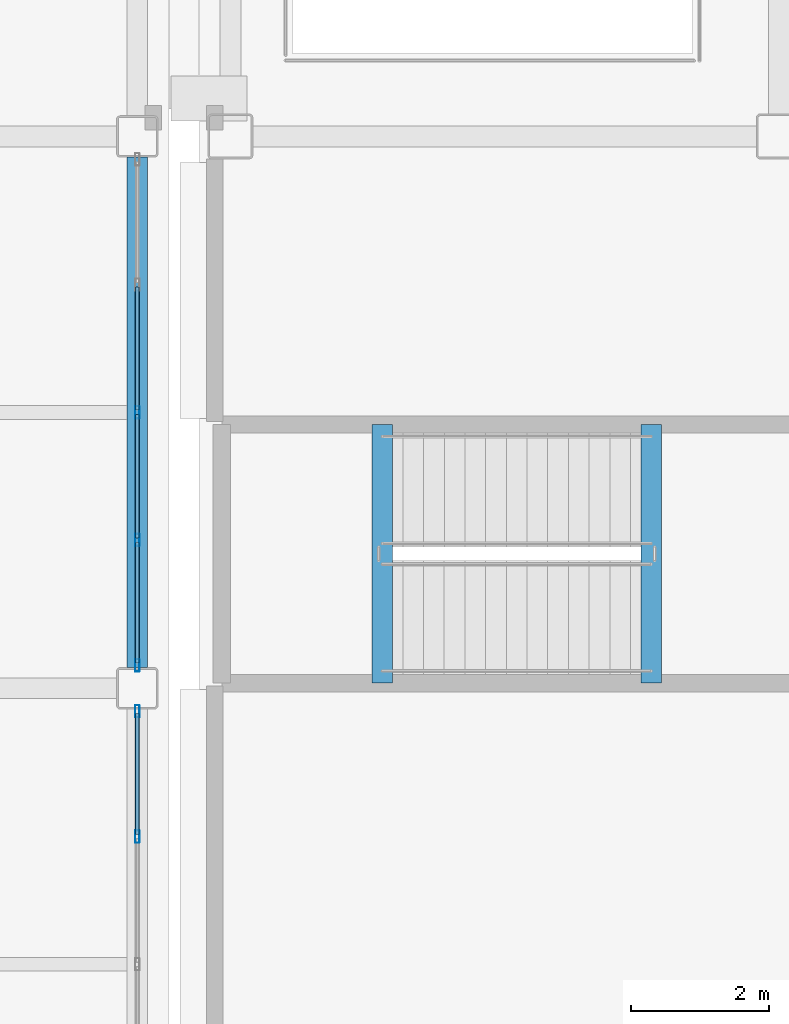
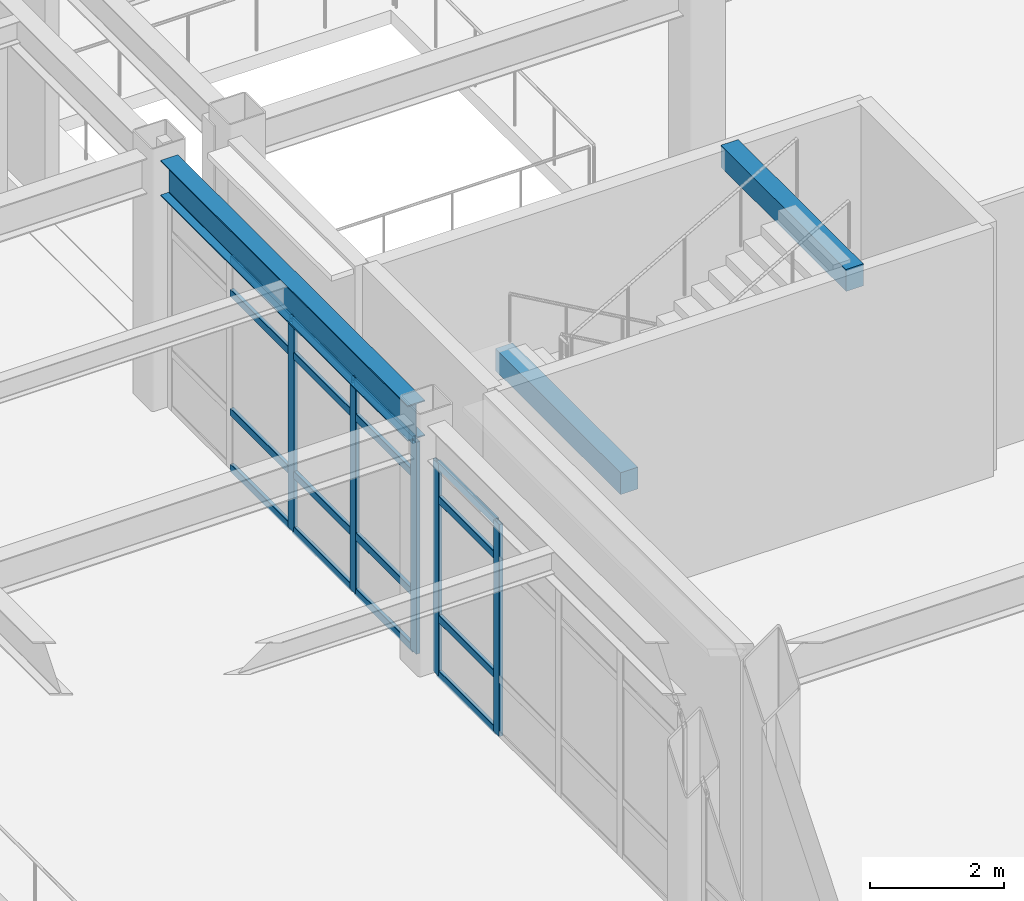
# One storey, part 20 of 172: 21 members, 3 beams, 2 elements without a shape of their own.
"""IFC4 building model written with IfcOpenShell, lengths in metres."""

from ifc_helpers import new_model, si_unit, direction, frame, origin, origin_2d, place, context, subcontext, project, spatial, rectangle, hollow_rectangle, i_section, extrude, material, layer, layer_set, material_profile, profile_set, type_object, element, aggregate, save


model = new_model("IFC4")

# Units and contexts
model_context = context("Model", 3, precision=1e-05, world=origin(), true_north=direction((0.0, 1.0)))
body_context = subcontext(model_context, "Body", "Model", "MODEL_VIEW")
ifc_project = project(units=[si_unit("LENGTHUNIT", "METRE"), si_unit("AREAUNIT", "SQUARE_METRE"), si_unit("VOLUMEUNIT", "CUBIC_METRE"), si_unit("PLANEANGLEUNIT", "RADIAN"), si_unit("MASSUNIT", "GRAM", prefix="KILO")], contexts=[model_context])

# Site, building, storey
site_placement = place(None, origin())
site = spatial("IfcSite", under=ifc_project, at=site_placement, CompositionType="ELEMENT")
building_placement = place(site_placement, origin())
building = spatial("IfcBuilding", under=site, at=building_placement, Name="Kazehara Bluff Congress Hotel", CompositionType="ELEMENT")
storey_placement = place(building_placement, frame((0.0, 0.0, 5.39990234375)))
storey = spatial("IfcBuildingStorey", under=building, at=storey_placement, Name="L01", CompositionType="ELEMENT", Elevation=5.39990234375)

# Curtain wall, members
ifc_material_1 = material(Name="Anodised aluminium", Category="aluminium")
ifc_layer = layer(ifc_material_1, 0.159912109375)
ifc_layer_set = layer_set([ifc_layer], Name="Anodised aluminium")
curtain_wall_type = type_object("IfcCurtainWallType", Name="TP-CW-34", PredefinedType="NOTDEFINED", material=ifc_layer_set)
curtain_wall_1_placement = place(storey_placement, origin())
curtain_wall_1 = element("IfcCurtainWall", 1, at=curtain_wall_1_placement, inside=storey, type_object=curtain_wall_type, Name="L01 curtain wall CW-34 CW-V2-L01-X5835-830", PredefinedType="NOTDEFINED")
ifc_material_2 = material(Name="Anodised aluminium", Category="aluminium")
ifc_material_profile_1 = material_profile(ifc_material_2, hollow_rectangle(XDim=0.06494140625, YDim=0.179931640625, WallThickness=0.00390625, InnerFilletRadius=0.00390625, OuterFilletRadius=0.008056640625, at=origin_2d()))
ifc_profile_set_1 = profile_set([ifc_material_profile_1], Name="Anodised aluminium")
member_type_1 = type_object("IfcMemberType", Name="TP-CWM-02", PredefinedType="MULLION", material=ifc_profile_set_1)
member_1_placement = place(storey_placement, frame((58.35009765625, 13.85009765625, 0.0), z_axis=(0.0, 0.0, 1.0), x_axis=(-1.0, 0.0, 0.0)))
member_1 = element("IfcMember", 2, at=member_1_placement, type_object=member_type_1, Name="CW-34 mullion 4", PredefinedType="MULLION", context=body_context, shape_type="SweptSolid", body=[
    extrude(hollow_rectangle(XDim=0.06494140625, YDim=0.179931640625, WallThickness=0.00390625, InnerFilletRadius=0.00390625, OuterFilletRadius=0.008056640625, at=origin_2d()), origin(), (0.0, 0.0, 1.0), 3.875),
])
member_2_placement = place(storey_placement, frame((58.35009765625, 15.66748046875, 0.0), z_axis=(0.0, 0.0, 1.0), x_axis=(-1.0, 0.0, 0.0)))
member_2 = element("IfcMember", 3, at=member_2_placement, type_object=member_type_1, Name="CW-34 mullion 5", PredefinedType="MULLION", context=body_context, shape_type="SweptSolid", body=[
    extrude(hollow_rectangle(XDim=0.06494140625, YDim=0.179931640625, WallThickness=0.00390625, InnerFilletRadius=0.00390625, OuterFilletRadius=0.008056640625, at=origin_2d()), origin(), (0.0, 0.0, 1.0), 3.875),
])

curtain_wall_2_placement = place(storey_placement, origin())
curtain_wall_2 = element("IfcCurtainWall", 4, at=curtain_wall_2_placement, inside=storey, type_object=curtain_wall_type, Name="L01 curtain wall CW-34 CW-V2-L01-X5835-1630", PredefinedType="NOTDEFINED")
member_3_placement = place(storey_placement, frame((58.35009765625, 16.33251953125, 0.0), z_axis=(0.0, 0.0, 1.0), x_axis=(-1.0, 0.0, 0.0)))
member_3 = element("IfcMember", 5, at=member_3_placement, type_object=member_type_1, Name="CW-34 mullion 1", PredefinedType="MULLION", context=body_context, shape_type="SweptSolid", body=[
    extrude(hollow_rectangle(XDim=0.06494140625, YDim=0.179931640625, WallThickness=0.00390625, InnerFilletRadius=0.00390625, OuterFilletRadius=0.008056640625, at=origin_2d()), origin(), (0.0, 0.0, 1.0), 3.875),
])
member_4_placement = place(storey_placement, frame((58.35009765625, 18.14990234375, 0.0), z_axis=(0.0, 0.0, 1.0), x_axis=(-1.0, 0.0, 0.0)))
member_4 = element("IfcMember", 6, at=member_4_placement, type_object=member_type_1, Name="CW-34 mullion 2", PredefinedType="MULLION", context=body_context, shape_type="SweptSolid", body=[
    extrude(hollow_rectangle(XDim=0.06494140625, YDim=0.179931640625, WallThickness=0.00390625, InnerFilletRadius=0.00390625, OuterFilletRadius=0.008056640625, at=origin_2d()), origin(), (0.0, 0.0, 1.0), 3.875),
])
member_5_placement = place(storey_placement, frame((58.35009765625, 20.0, 0.0), z_axis=(0.0, 0.0, 1.0), x_axis=(-1.0, 0.0, 0.0)))
member_5 = element("IfcMember", 7, at=member_5_placement, type_object=member_type_1, Name="CW-34 mullion 3", PredefinedType="MULLION", context=body_context, shape_type="SweptSolid", body=[
    extrude(hollow_rectangle(XDim=0.06494140625, YDim=0.179931640625, WallThickness=0.00390625, InnerFilletRadius=0.00390625, OuterFilletRadius=0.008056640625, at=origin_2d()), origin(), (0.0, 0.0, 1.0), 3.875),
])

# Member
ifc_material_3 = material(Name="Anodised aluminium", Category="aluminium")
ifc_material_profile_2 = material_profile(ifc_material_3, hollow_rectangle(XDim=0.06494140625, YDim=0.139892578125, WallThickness=0.00390625, InnerFilletRadius=0.00390625, OuterFilletRadius=0.008056640625, at=origin_2d()))
ifc_profile_set_2 = profile_set([ifc_material_profile_2], Name="Anodised aluminium")
member_type_2 = type_object("IfcMemberType", Name="TP-CWT-02", PredefinedType="USERDEFINED", material=ifc_profile_set_2)
member_6_placement = place(storey_placement, frame((58.35009765625, 13.882568359375, 0.03271484375), z_axis=(0.0, 1.0, 0.0), x_axis=(-1.0, 0.0, 0.0)))
member_6 = element("IfcMember", 8, at=member_6_placement, type_object=member_type_2, Name="CW-34 transom 4.1", ObjectType="TRANSOM", PredefinedType="USERDEFINED", context=body_context, shape_type="SweptSolid", body=[
    extrude(hollow_rectangle(XDim=0.06494140625, YDim=0.139892578125, WallThickness=0.00390625, InnerFilletRadius=0.00390625, OuterFilletRadius=0.008056640625, at=origin_2d()), origin(), (0.0, 0.0, 1.0), 1.75244140625),
])

member_7_placement = place(storey_placement, frame((58.35009765625, 13.882568359375, 1.050048828125), z_axis=(0.0, 1.0, 0.0), x_axis=(-1.0, 0.0, 0.0)))
member_7 = element("IfcMember", 9, at=member_7_placement, type_object=member_type_2, Name="CW-34 transom 4.2", ObjectType="TRANSOM", PredefinedType="USERDEFINED", context=body_context, shape_type="SweptSolid", body=[
    extrude(hollow_rectangle(XDim=0.06494140625, YDim=0.139892578125, WallThickness=0.00390625, InnerFilletRadius=0.00390625, OuterFilletRadius=0.008056640625, at=origin_2d()), origin(), (0.0, 0.0, 1.0), 1.75244140625),
])

member_8_placement = place(storey_placement, frame((58.35009765625, 13.882568359375, 3.22509765625), z_axis=(0.0, 1.0, 0.0), x_axis=(-1.0, 0.0, 0.0)))
member_8 = element("IfcMember", 10, at=member_8_placement, type_object=member_type_2, Name="CW-34 transom 4.3", ObjectType="TRANSOM", PredefinedType="USERDEFINED", context=body_context, shape_type="SweptSolid", body=[
    extrude(hollow_rectangle(XDim=0.06494140625, YDim=0.139892578125, WallThickness=0.00390625, InnerFilletRadius=0.00390625, OuterFilletRadius=0.008056640625, at=origin_2d()), origin(), (0.0, 0.0, 1.0), 1.75244140625),
])

member_9_placement = place(storey_placement, frame((58.35009765625, 13.882568359375, 3.842529296875), z_axis=(0.0, 1.0, 0.0), x_axis=(-1.0, 0.0, 0.0)))
member_9 = element("IfcMember", 11, at=member_9_placement, type_object=member_type_2, Name="CW-34 transom 4.4", ObjectType="TRANSOM", PredefinedType="USERDEFINED", context=body_context, shape_type="SweptSolid", body=[
    extrude(hollow_rectangle(XDim=0.06494140625, YDim=0.139892578125, WallThickness=0.00390625, InnerFilletRadius=0.00390625, OuterFilletRadius=0.008056640625, at=origin_2d()), origin(), (0.0, 0.0, 1.0), 1.75244140625),
])

aggregate(curtain_wall_1, [member_1, member_2, member_6, member_7, member_8, member_9])

member_10_placement = place(storey_placement, frame((58.35009765625, 16.364990234375, 0.03271484375), z_axis=(0.0, 1.0, 0.0), x_axis=(-1.0, 0.0, 0.0)))
member_10 = element("IfcMember", 12, at=member_10_placement, type_object=member_type_2, Name="CW-34 transom 1.1", ObjectType="TRANSOM", PredefinedType="USERDEFINED", context=body_context, shape_type="SweptSolid", body=[
    extrude(hollow_rectangle(XDim=0.06494140625, YDim=0.139892578125, WallThickness=0.00390625, InnerFilletRadius=0.00390625, OuterFilletRadius=0.008056640625, at=origin_2d()), origin(), (0.0, 0.0, 1.0), 1.75244140625),
])

member_11_placement = place(storey_placement, frame((58.35009765625, 16.364990234375, 1.050048828125), z_axis=(0.0, 1.0, 0.0), x_axis=(-1.0, 0.0, 0.0)))
member_11 = element("IfcMember", 13, at=member_11_placement, type_object=member_type_2, Name="CW-34 transom 1.2", ObjectType="TRANSOM", PredefinedType="USERDEFINED", context=body_context, shape_type="SweptSolid", body=[
    extrude(hollow_rectangle(XDim=0.06494140625, YDim=0.139892578125, WallThickness=0.00390625, InnerFilletRadius=0.00390625, OuterFilletRadius=0.008056640625, at=origin_2d()), origin(), (0.0, 0.0, 1.0), 1.75244140625),
])

member_12_placement = place(storey_placement, frame((58.35009765625, 16.364990234375, 3.22509765625), z_axis=(0.0, 1.0, 0.0), x_axis=(-1.0, 0.0, 0.0)))
member_12 = element("IfcMember", 14, at=member_12_placement, type_object=member_type_2, Name="CW-34 transom 1.3", ObjectType="TRANSOM", PredefinedType="USERDEFINED", context=body_context, shape_type="SweptSolid", body=[
    extrude(hollow_rectangle(XDim=0.06494140625, YDim=0.139892578125, WallThickness=0.00390625, InnerFilletRadius=0.00390625, OuterFilletRadius=0.008056640625, at=origin_2d()), origin(), (0.0, 0.0, 1.0), 1.75244140625),
])

member_13_placement = place(storey_placement, frame((58.35009765625, 16.364990234375, 3.842529296875), z_axis=(0.0, 1.0, 0.0), x_axis=(-1.0, 0.0, 0.0)))
member_13 = element("IfcMember", 15, at=member_13_placement, type_object=member_type_2, Name="CW-34 transom 1.4", ObjectType="TRANSOM", PredefinedType="USERDEFINED", context=body_context, shape_type="SweptSolid", body=[
    extrude(hollow_rectangle(XDim=0.06494140625, YDim=0.139892578125, WallThickness=0.00390625, InnerFilletRadius=0.00390625, OuterFilletRadius=0.008056640625, at=origin_2d()), origin(), (0.0, 0.0, 1.0), 1.75244140625),
])

member_14_placement = place(storey_placement, frame((58.35009765625, 18.1826171875, 0.03271484375), z_axis=(0.0, 1.0, 0.0), x_axis=(-1.0, 0.0, 0.0)))
member_14 = element("IfcMember", 16, at=member_14_placement, type_object=member_type_2, Name="CW-34 transom 2.1", ObjectType="TRANSOM", PredefinedType="USERDEFINED", context=body_context, shape_type="SweptSolid", body=[
    extrude(hollow_rectangle(XDim=0.06494140625, YDim=0.139892578125, WallThickness=0.00390625, InnerFilletRadius=0.00390625, OuterFilletRadius=0.008056640625, at=origin_2d()), origin(), (0.0, 0.0, 1.0), 1.784912109375),
])

member_15_placement = place(storey_placement, frame((58.35009765625, 18.1826171875, 1.050048828125), z_axis=(0.0, 1.0, 0.0), x_axis=(-1.0, 0.0, 0.0)))
member_15 = element("IfcMember", 17, at=member_15_placement, type_object=member_type_2, Name="CW-34 transom 2.2", ObjectType="TRANSOM", PredefinedType="USERDEFINED", context=body_context, shape_type="SweptSolid", body=[
    extrude(hollow_rectangle(XDim=0.06494140625, YDim=0.139892578125, WallThickness=0.00390625, InnerFilletRadius=0.00390625, OuterFilletRadius=0.008056640625, at=origin_2d()), origin(), (0.0, 0.0, 1.0), 1.784912109375),
])

member_16_placement = place(storey_placement, frame((58.35009765625, 18.1826171875, 3.22509765625), z_axis=(0.0, 1.0, 0.0), x_axis=(-1.0, 0.0, 0.0)))
member_16 = element("IfcMember", 18, at=member_16_placement, type_object=member_type_2, Name="CW-34 transom 2.3", ObjectType="TRANSOM", PredefinedType="USERDEFINED", context=body_context, shape_type="SweptSolid", body=[
    extrude(hollow_rectangle(XDim=0.06494140625, YDim=0.139892578125, WallThickness=0.00390625, InnerFilletRadius=0.00390625, OuterFilletRadius=0.008056640625, at=origin_2d()), origin(), (0.0, 0.0, 1.0), 1.784912109375),
])

member_17_placement = place(storey_placement, frame((58.35009765625, 18.1826171875, 3.842529296875), z_axis=(0.0, 1.0, 0.0), x_axis=(-1.0, 0.0, 0.0)))
member_17 = element("IfcMember", 19, at=member_17_placement, type_object=member_type_2, Name="CW-34 transom 2.4", ObjectType="TRANSOM", PredefinedType="USERDEFINED", context=body_context, shape_type="SweptSolid", body=[
    extrude(hollow_rectangle(XDim=0.06494140625, YDim=0.139892578125, WallThickness=0.00390625, InnerFilletRadius=0.00390625, OuterFilletRadius=0.008056640625, at=origin_2d()), origin(), (0.0, 0.0, 1.0), 1.784912109375),
])

member_18_placement = place(storey_placement, frame((58.35009765625, 20.032470703125, 0.03271484375), z_axis=(0.0, 1.0, 0.0), x_axis=(-1.0, 0.0, 0.0)))
member_18 = element("IfcMember", 20, at=member_18_placement, type_object=member_type_2, Name="CW-34 transom 3.1", ObjectType="TRANSOM", PredefinedType="USERDEFINED", context=body_context, shape_type="SweptSolid", body=[
    extrude(hollow_rectangle(XDim=0.06494140625, YDim=0.139892578125, WallThickness=0.00390625, InnerFilletRadius=0.00390625, OuterFilletRadius=0.008056640625, at=origin_2d()), origin(), (0.0, 0.0, 1.0), 1.784912109375),
])

member_19_placement = place(storey_placement, frame((58.35009765625, 20.032470703125, 1.050048828125), z_axis=(0.0, 1.0, 0.0), x_axis=(-1.0, 0.0, 0.0)))
member_19 = element("IfcMember", 21, at=member_19_placement, type_object=member_type_2, Name="CW-34 transom 3.2", ObjectType="TRANSOM", PredefinedType="USERDEFINED", context=body_context, shape_type="SweptSolid", body=[
    extrude(hollow_rectangle(XDim=0.06494140625, YDim=0.139892578125, WallThickness=0.00390625, InnerFilletRadius=0.00390625, OuterFilletRadius=0.008056640625, at=origin_2d()), origin(), (0.0, 0.0, 1.0), 1.784912109375),
])

member_20_placement = place(storey_placement, frame((58.35009765625, 20.032470703125, 3.22509765625), z_axis=(0.0, 1.0, 0.0), x_axis=(-1.0, 0.0, 0.0)))
member_20 = element("IfcMember", 22, at=member_20_placement, type_object=member_type_2, Name="CW-34 transom 3.3", ObjectType="TRANSOM", PredefinedType="USERDEFINED", context=body_context, shape_type="SweptSolid", body=[
    extrude(hollow_rectangle(XDim=0.06494140625, YDim=0.139892578125, WallThickness=0.00390625, InnerFilletRadius=0.00390625, OuterFilletRadius=0.008056640625, at=origin_2d()), origin(), (0.0, 0.0, 1.0), 1.784912109375),
])

member_21_placement = place(storey_placement, frame((58.35009765625, 20.032470703125, 3.842529296875), z_axis=(0.0, 1.0, 0.0), x_axis=(-1.0, 0.0, 0.0)))
member_21 = element("IfcMember", 23, at=member_21_placement, type_object=member_type_2, Name="CW-34 transom 3.4", ObjectType="TRANSOM", PredefinedType="USERDEFINED", context=body_context, shape_type="SweptSolid", body=[
    extrude(hollow_rectangle(XDim=0.06494140625, YDim=0.139892578125, WallThickness=0.00390625, InnerFilletRadius=0.00390625, OuterFilletRadius=0.008056640625, at=origin_2d()), origin(), (0.0, 0.0, 1.0), 1.784912109375),
])

aggregate(curtain_wall_2, [member_3, member_4, member_5, member_10, member_11, member_12, member_13, member_14, member_15, member_16, member_17, member_18, member_19, member_20, member_21])

# Beams
ifc_material_4 = material(Name="Steel SN490B", Category="steel")
ifc_material_profile_3 = material_profile(ifc_material_4, i_section(OverallWidth=0.300048828125, OverallDepth=0.64990234375, WebThickness=0.011962890625, FlangeThickness=0.02001953125, FilletRadius=0.012939453125, at=origin_2d()))
ifc_profile_set_3 = profile_set([ifc_material_profile_3], Name="Steel SN490B")
beam_type_1 = type_object("IfcBeamType", Name="TP-G-03", PredefinedType="BEAM", material=ifc_profile_set_3)
beam_placement = place(storey_placement, frame((58.35009765625, 16.300048828125, 4.22509765625), z_axis=(0.0, 1.0, 0.0), x_axis=(-1.0, 0.0, 0.0)))
element("IfcBeam", 24, at=beam_placement, inside=storey, type_object=beam_type_1, Name="L01 girder G-03 67", PredefinedType="BEAM", context=body_context, shape_type="SweptSolid", body=[
    extrude(i_section(OverallWidth=0.300048828125, OverallDepth=0.64990234375, WebThickness=0.011962890625, FlangeThickness=0.02001953125, FilletRadius=0.012939453125, at=origin_2d()), origin(), (0.0, 0.0, 1.0), 7.39990234375),
])
ifc_material_5 = material(Name="Concrete C40/50", Category="concrete")
ifc_material_profile_4 = material_profile(ifc_material_5, rectangle(XDim=0.300048828125, YDim=0.39990234375, at=origin_2d()))
ifc_profile_set_4 = profile_set([ifc_material_profile_4], Name="Concrete C40/50")
beam_type_2 = type_object("IfcBeamType", Name="TP-LN-02", PredefinedType="LINTEL", material=ifc_profile_set_4)
for number, where, z_axis, x_axis, name in (
    (25, (61.89990234375, 19.824951171875, 2.02001953125), (0.0, -1.0, 0.0), (1.0, 0.0, 0.0), "L01 ST-08 half-landing support beam 1"),
    (26, (65.800048828125, 19.824951171875, 4.3701171875), (0.0, -1.0, 0.0), (1.0, 0.0, 0.0), "L02 ST-08 stairwell trimmer beam"),
):
    element("IfcBeam", number, at=place(storey_placement, frame(where, z_axis=z_axis, x_axis=x_axis)), inside=storey, type_object=beam_type_2, Name=name, PredefinedType="LINTEL", context=body_context, shape_type="SweptSolid", body=[
        extrude(rectangle(XDim=0.300048828125, YDim=0.39990234375, at=origin_2d()), origin(), (0.0, 0.0, 1.0), 3.75),
    ])

save(model, "model.ifc")
